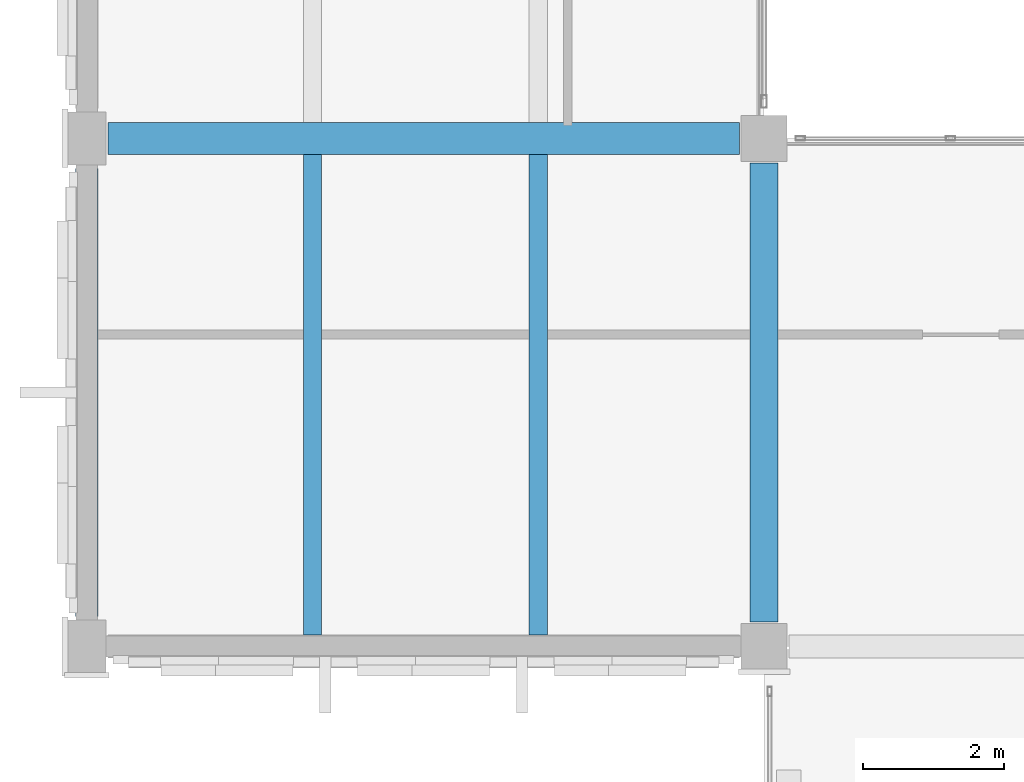
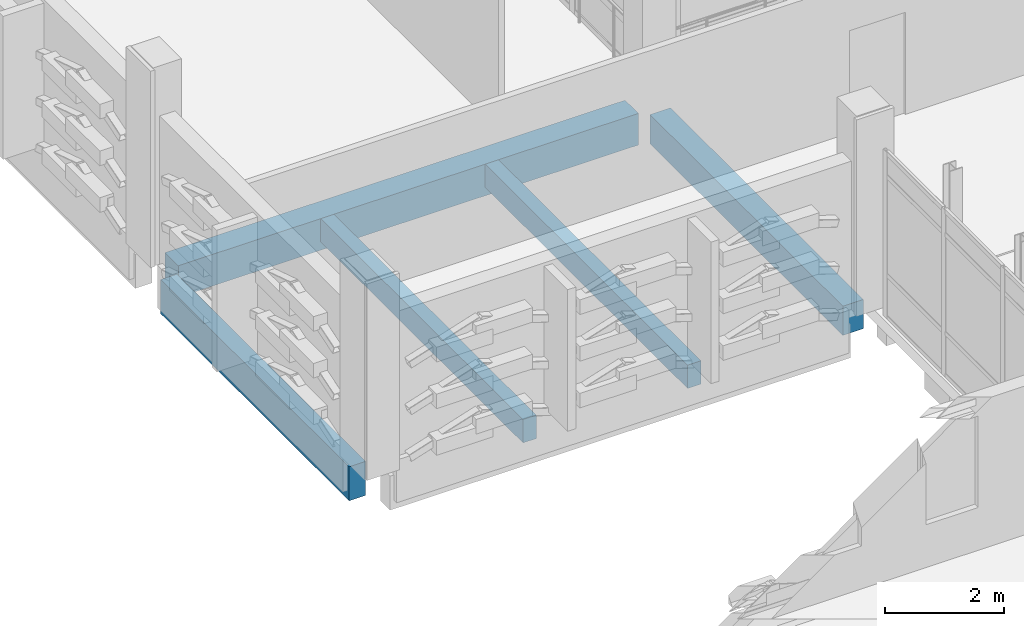
# One storey, part 16 of 72: 5 beams.
"""IFC4 building model written with IfcOpenShell, lengths in metres."""

from ifc_helpers import new_model, si_unit, direction, frame, origin, origin_2d, place, context, subcontext, project, spatial, rectangle, extrude, material, material_profile, profile_set, type_object, element, save


model = new_model("IFC4")

# Units and contexts
model_context = context("Model", 3, precision=1e-05, world=origin(), true_north=direction((0.0, 1.0)))
body_context = subcontext(model_context, "Body", "Model", "MODEL_VIEW")
ifc_project = project(units=[si_unit("LENGTHUNIT", "METRE"), si_unit("AREAUNIT", "SQUARE_METRE"), si_unit("VOLUMEUNIT", "CUBIC_METRE"), si_unit("PLANEANGLEUNIT", "RADIAN"), si_unit("MASSUNIT", "GRAM", prefix="KILO")], contexts=[model_context])

# Site, building, storey
site_placement = place(None, origin())
site = spatial("IfcSite", under=ifc_project, at=site_placement, CompositionType="ELEMENT")
building_placement = place(site_placement, origin())
building = spatial("IfcBuilding", under=site, at=building_placement, Name="Asteropetra Specialist Clinic", CompositionType="ELEMENT")
storey_placement = place(building_placement, frame((0.0, 0.0, 12.580078125)))
storey = spatial("IfcBuildingStorey", under=building, at=storey_placement, Name="L03", CompositionType="ELEMENT", Elevation=12.580078125)

# Beams
ifc_material_1 = material(Name="Concrete C35/45", Category="concrete")
ifc_material_profile_1 = material_profile(ifc_material_1, rectangle(XDim=0.39990234375, YDim=0.60009765625, at=origin_2d()), Name="RCB 400x600")
ifc_profile_set_1 = profile_set([ifc_material_profile_1], Name="Concrete C35/45")
beam_type_1 = type_object("IfcBeamType", Name="BM-RC400x600", PredefinedType="BEAM", material=ifc_profile_set_1)
beam_1_placement = place(storey_placement, frame((9.60009765625, 69.949951171875, -0.580078125), z_axis=(0.0, 1.0, 0.0), x_axis=(-1.0, 0.0, 0.0)))
element("IfcBeam", 1, at=beam_1_placement, inside=storey, type_object=beam_type_1, Name="Beam BBM08-1597", PredefinedType="BEAM", context=body_context, shape_type="SweptSolid", body=[
    extrude(rectangle(XDim=0.39990234375, YDim=0.60009765625, at=origin_2d()), origin(), (0.0, 0.0, 1.0), 6.5),
])
ifc_material_2 = material(Name="Concrete C35/45", Category="concrete")
ifc_material_profile_2 = material_profile(ifc_material_2, rectangle(XDim=0.449951171875, YDim=0.64990234375, at=origin_2d()), Name="RCB 450x650")
ifc_profile_set_2 = profile_set([ifc_material_profile_2], Name="Concrete C35/45")
beam_type_2 = type_object("IfcBeamType", Name="BM-RC450x650", PredefinedType="BEAM", material=ifc_profile_set_2)
beam_2_placement = place(storey_placement, frame((0.300048828125, 76.800048828125, -0.60498046875), z_axis=(1.0, 0.0, 0.0), x_axis=(0.0, 1.0, 0.0)))
element("IfcBeam", 2, at=beam_2_placement, inside=storey, type_object=beam_type_2, Name="Beam BBM06-1572", PredefinedType="BEAM", context=body_context, shape_type="SweptSolid", body=[
    extrude(rectangle(XDim=0.449951171875, YDim=0.64990234375, at=origin_2d()), origin(), (0.0, 0.0, 1.0), 8.949951171875),
])
ifc_material_3 = material(Name="Concrete C35/45", Category="concrete")
ifc_material_profile_3 = material_profile(ifc_material_3, rectangle(XDim=0.260009765625, YDim=0.47998046875, at=origin_2d()), Name="RCJ 260x480")
ifc_profile_set_3 = profile_set([ifc_material_profile_3], Name="Concrete C35/45")
beam_type_3 = type_object("IfcBeamType", Name="JST-RC260x480", PredefinedType="JOIST", material=ifc_profile_set_3)
for number, where, z_axis, x_axis, name in (
    (3, (3.199951171875, 69.760009765625, -0.52001953125), (0.0, 1.0, 0.0), (-1.0, 0.0, 0.0), "Joist JJST02-1602"),
    (4, (6.39990234375, 69.760009765625, -0.52001953125), (0.0, 1.0, 0.0), (-1.0, 0.0, 0.0), "Joist JJST02-1603"),
):
    element("IfcBeam", number, at=place(storey_placement, frame(where, z_axis=z_axis, x_axis=x_axis)), inside=storey, type_object=beam_type_3, Name=name, PredefinedType="JOIST", context=body_context, shape_type="SweptSolid", body=[
        extrude(rectangle(XDim=0.260009765625, YDim=0.47998046875, at=origin_2d()), origin(), (0.0, 0.0, 1.0), 6.81494140625),
    ])
ifc_material_4 = material(Name="Concrete C35/45", Category="concrete")
ifc_material_profile_4 = material_profile(ifc_material_4, rectangle(XDim=0.320068359375, YDim=0.699951171875, at=origin_2d()), Name="RCS 320x700")
ifc_profile_set_4 = profile_set([ifc_material_profile_4], Name="Concrete C35/45")
beam_type_4 = type_object("IfcBeamType", Name="SPN-RC320x700", PredefinedType="SPANDREL", material=ifc_profile_set_4)
beam_3_placement = place(storey_placement, frame((0.0, 70.02490234375, -0.630126953125), z_axis=(0.0, 1.0, 0.0), x_axis=(-1.0, 0.0, 0.0)))
element("IfcBeam", 5, at=beam_3_placement, inside=storey, type_object=beam_type_4, Name="Beam BSPN02-1596", PredefinedType="SPANDREL", context=body_context, shape_type="SweptSolid", body=[
    extrude(rectangle(XDim=0.320068359375, YDim=0.699951171875, at=origin_2d()), origin(), (0.0, 0.0, 1.0), 6.35009765625),
])

save(model, "model.ifc")
